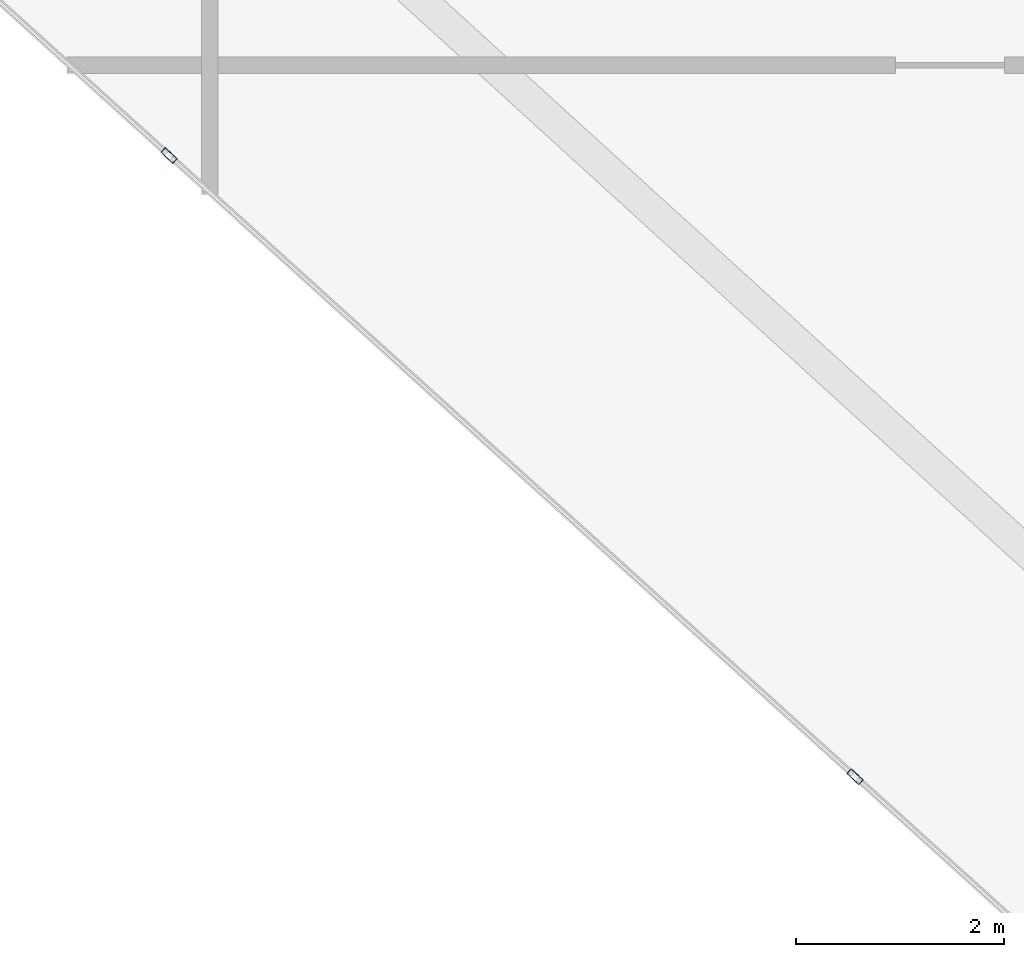
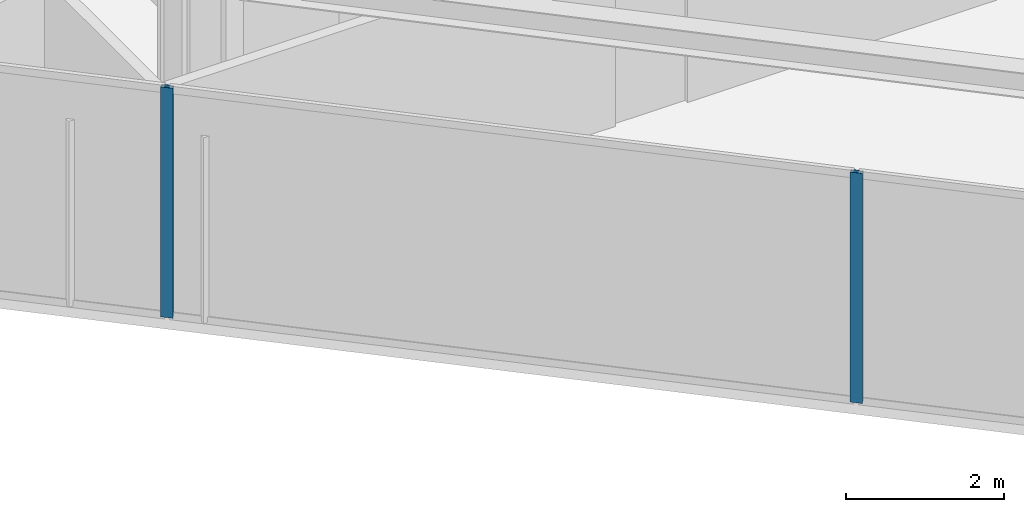
# One storey, part 2 of 14: 2 members, 1 element without a shape of its own.
"""IFC4 building model written with IfcOpenShell, lengths in metres."""

import ifcopenshell
import ifcopenshell.guid

model = None  # the IFC model being written
_history = None  # IfcOwnerHistory: only IFC2X3 demands one
_inside = {}  # id of a spatial element -> (the spatial element, [elements in it])
_under = {}  # id of a project, library or spatial element -> (it, [spatial elements below it])
_declared = {}  # id of a project -> (the project, [libraries it declares])
_typed = {}  # id of a type object -> (the type object, [elements of that type])
_made_of = {}  # id of a material, layer set ... -> (it, [elements and type objects made of it])


def new_model(schema):
    """Start an empty IFC model of exactly this schema.

    Asked for "IFC4X3", IfcOpenShell would pick the latest addendum, in which some entities
    have other attributes; the version numbers below select the first issue.
    IFC2X3 requires an IfcOwnerHistory on every rooted entity: one is made here for all.
    """
    global model, _history
    if schema == "IFC4X3":
        model = ifcopenshell.file(schema_version=(4, 3, 0, 0))
    else:
        model = ifcopenshell.file(schema=schema)
    _inside.clear()
    _under.clear()
    _declared.clear()
    _typed.clear()
    _made_of.clear()
    _history = None
    if model.schema == "IFC2X3":
        org = make("IfcOrganization", Name="unknown")
        user = make(
            "IfcPersonAndOrganization",
            ThePerson=make("IfcPerson", FamilyName="unknown"),
            TheOrganization=org,
        )
        app = make(
            "IfcApplication",
            ApplicationDeveloper=org,
            Version="unknown",
            ApplicationFullName="unknown",
            ApplicationIdentifier="unknown",
        )
        _history = make(
            "IfcOwnerHistory",
            OwningUser=user,
            OwningApplication=app,
            ChangeAction="ADDED",
            CreationDate=0,
        )
    return model


def make(cls, **values):
    """One entity of the class cls with the attributes given. An attribute that is None is left unset."""
    return model.create_entity(
        cls, **{name: value for name, value in values.items() if value is not None}
    )


def rooted(cls, **values):
    """An entity with a GlobalId (a new one), such as an element, a storey or a relation."""
    return make(cls, GlobalId=ifcopenshell.guid.new(), OwnerHistory=_history, **values)


def si_unit(unit_type, name, prefix=None):
    """IfcSIUnit, for example si_unit("LENGTHUNIT", "METRE", prefix="MILLI")."""
    return make("IfcSIUnit", UnitType=unit_type, Prefix=prefix, Name=name)


def assignment(units):
    """IfcUnitAssignment: the units of a project."""
    return None if units is None else make("IfcUnitAssignment", Units=units)


def point(xyz):
    """IfcCartesianPoint."""
    return None if xyz is None else make("IfcCartesianPoint", Coordinates=xyz)


def direction(xyz):
    """IfcDirection."""
    return None if xyz is None else make("IfcDirection", DirectionRatios=xyz)


def frame(location, z_axis=None, x_axis=None):
    """IfcAxis2Placement3D, a coordinate frame: its origin and axes. An axis left out is left unset."""
    return make(
        "IfcAxis2Placement3D",
        Location=point(location),
        Axis=direction(z_axis),
        RefDirection=direction(x_axis),
    )


def frame_2d(location, x_axis=None):
    """IfcAxis2Placement2D, a coordinate frame in the plane: its origin and x axis."""
    return make(
        "IfcAxis2Placement2D", Location=point(location), RefDirection=direction(x_axis)
    )


def origin():
    """The frame at (0, 0, 0) with its axes left unset."""
    return frame((0.0, 0.0, 0.0))


def origin_2d():
    """The frame at (0, 0) in the plane with its x axis left unset."""
    return frame_2d((0.0, 0.0))


def place(relative_to, where):
    """IfcLocalPlacement: puts the frame where relative to a parent placement (None: the world)."""
    return make(
        "IfcLocalPlacement", PlacementRelTo=relative_to, RelativePlacement=where
    )


def context(
    kind, dimensions, precision=None, world=None, true_north=None, identifier=None
):
    """IfcGeometricRepresentationContext, for example the 3D "Model" context."""
    return make(
        "IfcGeometricRepresentationContext",
        ContextIdentifier=identifier,
        ContextType=kind,
        CoordinateSpaceDimension=dimensions,
        Precision=precision,
        WorldCoordinateSystem=world,
        TrueNorth=true_north,
    )


def subcontext(parent, identifier, kind, view, scale=None):
    """IfcGeometricRepresentationSubContext, for example "Body" below "Model"."""
    return make(
        "IfcGeometricRepresentationSubContext",
        ContextIdentifier=identifier,
        ContextType=kind,
        ParentContext=parent,
        TargetScale=scale,
        TargetView=view,
    )


def project(units=None, contexts=None):
    """IfcProject with its units and contexts."""
    return rooted(
        "IfcProject",
        Name="project",
        RepresentationContexts=contexts,
        UnitsInContext=assignment(units),
    )


def spatial(cls, under=None, at=None, **own):
    """A site, building, storey or space (cls), placed at a placement, below another one or the project."""
    s = rooted(cls, ObjectPlacement=at, **own)
    if under is not None:
        _under.setdefault(under.id(), (under, []))[1].append(s)
    return s


def profile(cls, at=None, kind="AREA", **sizes):
    """A parametric profile (cls). Its sizes go by their IFC names, for example OverallWidth=200.0."""
    return make(cls, ProfileType=kind, Position=at, **sizes)


def hollow_rectangle(**sizes):
    """IfcRectangleHollowProfileDef."""
    return profile("IfcRectangleHollowProfileDef", **sizes)


def extrude(swept, where, along, depth):
    """IfcExtrudedAreaSolid: the profile swept, set in the frame where, extruded along a direction by depth."""
    return make(
        "IfcExtrudedAreaSolid",
        SweptArea=swept,
        Position=where,
        ExtrudedDirection=direction(along),
        Depth=depth,
    )


def shape(context_of_items, identifier, shape_type, items):
    """IfcShapeRepresentation: the items that make up one representation, for example the "Body"."""
    return make(
        "IfcShapeRepresentation",
        ContextOfItems=context_of_items,
        RepresentationIdentifier=identifier,
        RepresentationType=shape_type,
        Items=items,
    )


def material(Name=None, Category=None):
    """IfcMaterial."""
    return make("IfcMaterial", Name=Name, Category=Category)


def layer(
    of_material, thickness, ventilated=None, Name=None, Category=None, Priority=None
):
    """IfcMaterialLayer: one layer of a wall or slab, of a material (None: an air gap)."""
    return make(
        "IfcMaterialLayer",
        Material=of_material,
        LayerThickness=thickness,
        IsVentilated=ventilated,
        Name=Name,
        Category=Category,
        Priority=Priority,
    )


def layer_set(layers, Name=None):
    """IfcMaterialLayerSet."""
    return make("IfcMaterialLayerSet", MaterialLayers=layers, LayerSetName=Name)


def material_profile(
    of_material, cross_section, Name=None, Category=None, Priority=None
):
    """IfcMaterialProfile: a cross section and its material."""
    return make(
        "IfcMaterialProfile",
        Name=Name,
        Material=of_material,
        Profile=cross_section,
        Priority=Priority,
        Category=Category,
    )


def profile_set(profiles, Name=None, composite=None):
    """IfcMaterialProfileSet."""
    return make(
        "IfcMaterialProfileSet",
        Name=Name,
        MaterialProfiles=profiles,
        CompositeProfile=composite,
    )


def made_of(thing, what):
    """Note that an element or type object is made of a material, layer set ...; save() writes the relation."""
    if what is not None:
        _made_of.setdefault(what.id(), (what, []))[1].append(thing)
    return thing


def type_object(cls, material=None, **own):
    """A type object (cls), such as IfcWallType, which elements share."""
    return made_of(rooted(cls, **own), material)


def element(
    cls,
    number,
    at=None,
    inside=None,
    cuts=None,
    type_object=None,
    material=None,
    context=None,
    identifier="Body",
    shape_type=None,
    held_by="IfcProductDefinitionShape",
    body=None,
    shapes=None,
    **own,
):
    """One element of the class cls, such as IfcWall. Its Tag is "e" and its number.

    at: its placement. inside: the storey or other place that contains it. cuts: it is an
    opening in that element (IfcRelVoidsElement). A single representation is given by context,
    identifier, shape_type and body (its items); several are given by shapes. held_by: the class
    of the entity that holds the representations. save() writes the other relations.
    """
    e = rooted(cls, Tag="e%d" % number, ObjectPlacement=at, **own)
    if body is not None:
        shapes = [shape(context, identifier, shape_type, body)]
    if shapes is not None:
        e.Representation = make(held_by, Representations=shapes)
    if inside is not None:
        _inside.setdefault(inside.id(), (inside, []))[1].append(e)
    if cuts is not None:
        rooted(
            "IfcRelVoidsElement", RelatingBuildingElement=cuts, RelatedOpeningElement=e
        )
    if type_object is not None:
        _typed.setdefault(type_object.id(), (type_object, []))[1].append(e)
    return made_of(e, material)


def aggregate(whole, parts):
    """IfcRelAggregates: a whole, such as a stair, and the parts it consists of."""
    return rooted("IfcRelAggregates", RelatingObject=whole, RelatedObjects=parts)


def save(model, path):
    """Write the relations noted so far, then the file.

    IfcRelAggregates (storeys below a building ...), IfcRelContainedInSpatialStructure (elements
    in a storey), IfcRelDefinesByType, IfcRelAssociatesMaterial and IfcRelDeclares: one each for
    every whole, place, type object, material and project.
    """
    for whole, parts in _under.values():
        aggregate(whole, parts)
    for where, things in _inside.values():
        rooted(
            "IfcRelContainedInSpatialStructure",
            RelatedElements=things,
            RelatingStructure=where,
        )
    for kind, things in _typed.values():
        rooted("IfcRelDefinesByType", RelatedObjects=things, RelatingType=kind)
    for what, things in _made_of.values():
        rooted("IfcRelAssociatesMaterial", RelatedObjects=things, RelatingMaterial=what)
    for by, libraries in _declared.values():
        rooted("IfcRelDeclares", RelatingContext=by, RelatedDefinitions=libraries)
    model.write(path)


model = new_model("IFC4")

# Units and contexts
model_context = context("Model", 3, precision=1e-05, world=origin(), true_north=direction((0.0, 1.0)))
body_context = subcontext(model_context, "Body", "Model", "MODEL_VIEW")
ifc_project = project(units=[si_unit("LENGTHUNIT", "METRE"), si_unit("AREAUNIT", "SQUARE_METRE"), si_unit("VOLUMEUNIT", "CUBIC_METRE"), si_unit("PLANEANGLEUNIT", "RADIAN"), si_unit("MASSUNIT", "GRAM", prefix="KILO")], contexts=[model_context])

# Site, building, storey
site_placement = place(None, origin())
site = spatial("IfcSite", under=ifc_project, at=site_placement, CompositionType="ELEMENT")
building_placement = place(site_placement, origin())
building = spatial("IfcBuilding", under=site, at=building_placement, Name="Qianvela Tower", CompositionType="ELEMENT")
storey_placement = place(building_placement, frame((0.0, 0.0, 363.800048828125)))
storey = spatial("IfcBuildingStorey", under=building, at=storey_placement, Name="L94", CompositionType="ELEMENT", Elevation=363.800048828125)

# Curtain wall, members
ifc_material_1 = material(Name="Anodised Architectural Aluminium and Low-E Glass", Category="aluminium")
ifc_layer = layer(ifc_material_1, 0.159912109375)
ifc_layer_set = layer_set([ifc_layer], Name="Anodised Architectural Aluminium and Low-E Glass")
curtain_wall_type = type_object("IfcCurtainWallType", Name="CW-CROWN", PredefinedType="USERDEFINED", material=ifc_layer_set)
curtain_wall_placement = place(storey_placement, origin())
curtain_wall = element("IfcCurtainWall", 1, at=curtain_wall_placement, inside=storey, type_object=curtain_wall_type, Name="L94 CW-CROWN Curtain Wall 04", ObjectType="CURTAIN_WALL_SYSTEM", PredefinedType="USERDEFINED")
ifc_material_2 = material(Name="Anodised Architectural Aluminium 6063-T6", Category="aluminium")
ifc_material_profile = material_profile(ifc_material_2, hollow_rectangle(XDim=0.06494140625, YDim=0.159912109375, WallThickness=0.0048828125, at=origin_2d()), Name="ALU-MULL-65x160")
ifc_profile_set = profile_set([ifc_material_profile], Name="Anodised Architectural Aluminium 6063-T6")
member_type = type_object("IfcMemberType", Name="CW-CROWN-MULL", PredefinedType="MULLION", material=ifc_profile_set)
member_1_placement = place(storey_placement, frame((25.83740234375, 19.760986328125, 0.0), z_axis=(0.0, 0.0, 1.0), x_axis=(0.671203657734, 0.741272992793, 0.0)))
member_1 = element("IfcMember", 2, at=member_1_placement, type_object=member_type, Name="CW-8 mullion 2", PredefinedType="MULLION", context=body_context, shape_type="SweptSolid", body=[
    extrude(hollow_rectangle(XDim=0.06494140625, YDim=0.159912109375, WallThickness=0.0048828125, at=origin_2d()), origin(), (0.0, 0.0, 1.0), 3.550048828125),
])
member_2_placement = place(storey_placement, frame((32.44580078125, 13.777099609375, 0.0), z_axis=(0.0, 0.0, 1.0), x_axis=(0.671203657734, 0.741272992793, 0.0)))
member_2 = element("IfcMember", 3, at=member_2_placement, type_object=member_type, Name="CW-8 mullion 3", PredefinedType="MULLION", context=body_context, shape_type="SweptSolid", body=[
    extrude(hollow_rectangle(XDim=0.06494140625, YDim=0.159912109375, WallThickness=0.0048828125, at=origin_2d()), origin(), (0.0, 0.0, 1.0), 3.550048828125),
])
aggregate(curtain_wall, [member_1, member_2])

save(model, "model.ifc")
